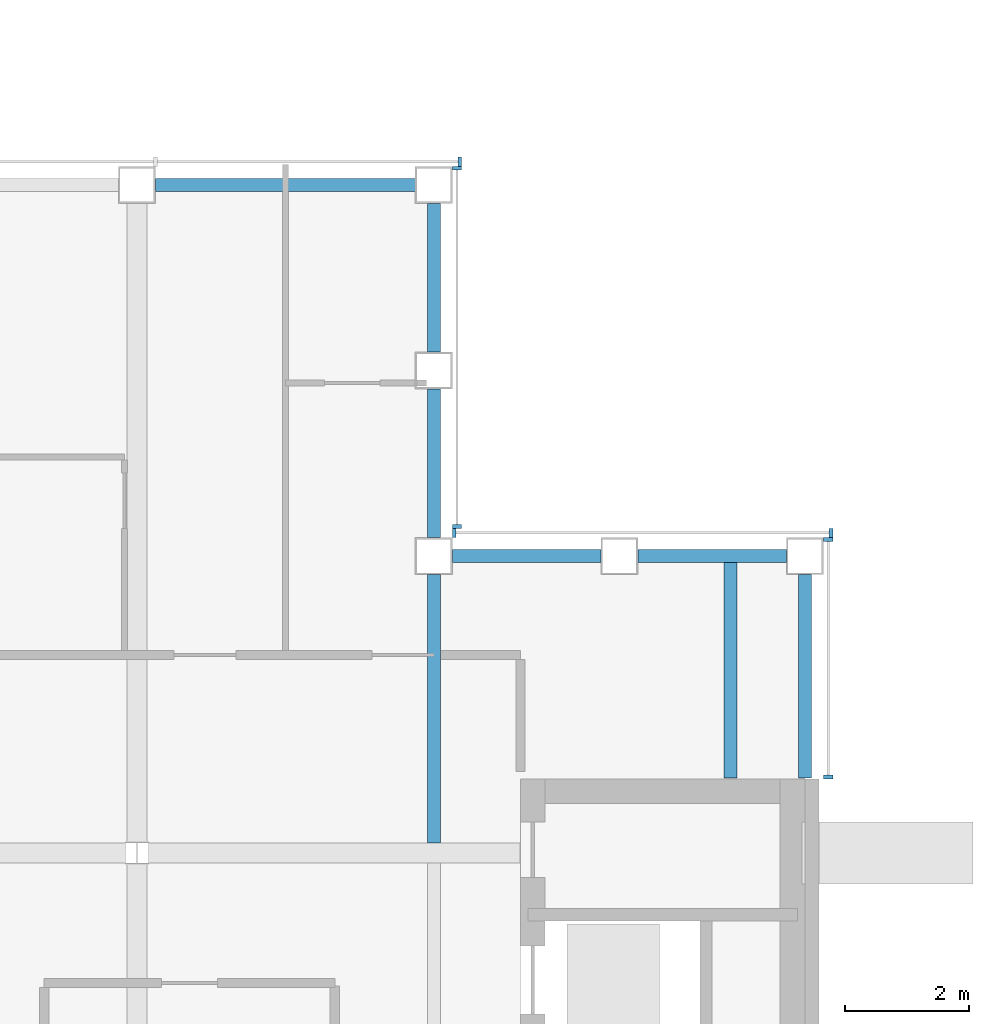
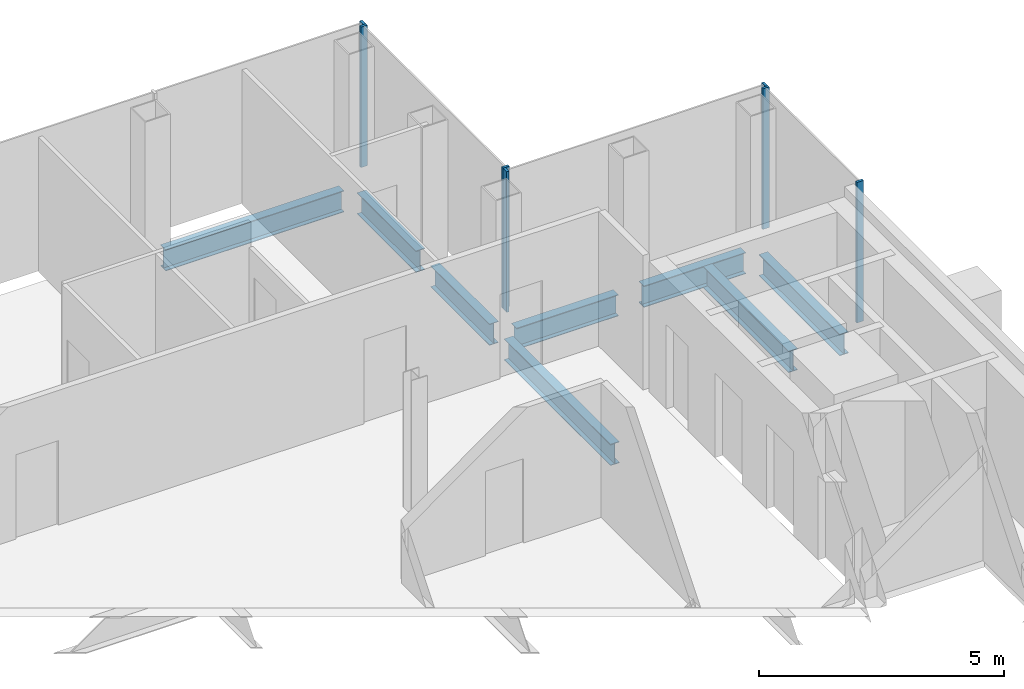
# One storey, part 8 of 15: 8 beams, 7 members, 4 elements without a shape of their own.
"""IFC4 building model written with IfcOpenShell, lengths in metres."""

from ifc_helpers import new_model, si_unit, direction, frame, origin, origin_2d, place, context, subcontext, project, spatial, rectangle, i_section, extrude, material, material_profile, profile_set, type_object, element, aggregate, save


model = new_model("IFC4")

# Units and contexts
model_context = context("Model", 3, precision=1e-05, world=origin(), true_north=direction((0.0, 1.0)))
body_context = subcontext(model_context, "Body", "Model", "MODEL_VIEW")
ifc_project = project(units=[si_unit("LENGTHUNIT", "METRE"), si_unit("AREAUNIT", "SQUARE_METRE"), si_unit("VOLUMEUNIT", "CUBIC_METRE"), si_unit("PLANEANGLEUNIT", "RADIAN"), si_unit("MASSUNIT", "GRAM", prefix="KILO")], contexts=[model_context])

# Site, building, storey
site_placement = place(None, origin())
site = spatial("IfcSite", under=ifc_project, at=site_placement, CompositionType="ELEMENT")
building_placement = place(site_placement, origin())
building = spatial("IfcBuilding", under=site, at=building_placement, Name="Cobrizo Arcos Hotel Tower", CompositionType="ELEMENT")
storey_placement = place(building_placement, frame((0.0, 0.0, 258.5)))
storey = spatial("IfcBuildingStorey", under=building, at=storey_placement, Name="L68", CompositionType="ELEMENT", Elevation=258.5)

# Curtain wall, members
ifc_material_1 = material(Name="Aluminium 6063-T6 anodised bronze", Category="aluminium")
curtain_wall_type = type_object("IfcCurtainWallType", Name="CW-A guest facade", PredefinedType="NOTDEFINED", material=ifc_material_1)
curtain_wall_1_placement = place(storey_placement, origin())
curtain_wall_1 = element("IfcCurtainWall", 1, at=curtain_wall_1_placement, inside=storey, type_object=curtain_wall_type, Name="CW-A L68 E face", PredefinedType="NOTDEFINED")
ifc_material_profile_1 = material_profile(ifc_material_1, rectangle(XDim=0.14990234375, YDim=0.06005859375, at=origin_2d()), Name="CW-A mullion 150x60")
ifc_profile_set_1 = profile_set([ifc_material_profile_1], Name="Aluminium 6063-T6 anodised bronze")
member_type = type_object("IfcMemberType", Name="CW-A mullion 150x60", PredefinedType="MULLION", material=ifc_profile_set_1)
member_1_placement = place(storey_placement, frame((20.77490234375, 10.830078125, 0.0), z_axis=(0.0, 0.0, 1.0), x_axis=(1.0, 0.0, 0.0)))
member_1 = element("IfcMember", 2, at=member_1_placement, type_object=member_type, Name="CW-A mullion 1", PredefinedType="MULLION", context=body_context, shape_type="SweptSolid", body=[
    extrude(rectangle(XDim=0.14990234375, YDim=0.06005859375, at=origin_2d()), origin(), (0.0, 0.0, 1.0), 3.5),
])
member_2_placement = place(storey_placement, frame((20.77490234375, 14.669921875, 0.0), z_axis=(0.0, 0.0, 1.0), x_axis=(1.0, 0.0, 0.0)))
member_2 = element("IfcMember", 3, at=member_2_placement, type_object=member_type, Name="CW-A mullion 2", PredefinedType="MULLION", context=body_context, shape_type="SweptSolid", body=[
    extrude(rectangle(XDim=0.14990234375, YDim=0.06005859375, at=origin_2d()), origin(), (0.0, 0.0, 1.0), 3.5),
])
aggregate(curtain_wall_1, [member_1, member_2])

curtain_wall_2_placement = place(storey_placement, origin())
curtain_wall_2 = element("IfcCurtainWall", 4, at=curtain_wall_2_placement, inside=storey, type_object=curtain_wall_type, Name="CW-A L68 N face", PredefinedType="NOTDEFINED")
member_3_placement = place(storey_placement, frame((20.820068359375, 14.77490234375, 0.0), z_axis=(0.0, 0.0, 1.0), x_axis=(0.0, 1.0, 0.0)))
member_3 = element("IfcMember", 5, at=member_3_placement, type_object=member_type, Name="CW-A mullion 1", PredefinedType="MULLION", context=body_context, shape_type="SweptSolid", body=[
    extrude(rectangle(XDim=0.14990234375, YDim=0.06005859375, at=origin_2d()), origin(), (0.0, 0.0, 1.0), 3.5),
])
member_4_placement = place(storey_placement, frame((14.72998046875, 14.77490234375, 0.0), z_axis=(0.0, 0.0, 1.0), x_axis=(0.0, 1.0, 0.0)))
member_4 = element("IfcMember", 6, at=member_4_placement, type_object=member_type, Name="CW-A mullion 2", PredefinedType="MULLION", context=body_context, shape_type="SweptSolid", body=[
    extrude(rectangle(XDim=0.14990234375, YDim=0.06005859375, at=origin_2d()), origin(), (0.0, 0.0, 1.0), 3.5),
])
aggregate(curtain_wall_2, [member_3, member_4])

curtain_wall_3_placement = place(storey_placement, origin())
curtain_wall_3 = element("IfcCurtainWall", 7, at=curtain_wall_3_placement, inside=storey, type_object=curtain_wall_type, Name="CW-A L68 E face", PredefinedType="NOTDEFINED")
member_5_placement = place(storey_placement, frame((14.77490234375, 14.8798828125, 0.0), z_axis=(0.0, 0.0, 1.0), x_axis=(1.0, 0.0, 0.0)))
member_5 = element("IfcMember", 8, at=member_5_placement, type_object=member_type, Name="CW-A mullion 1", PredefinedType="MULLION", context=body_context, shape_type="SweptSolid", body=[
    extrude(rectangle(XDim=0.14990234375, YDim=0.06005859375, at=origin_2d()), origin(), (0.0, 0.0, 1.0), 3.5),
])
member_6_placement = place(storey_placement, frame((14.77490234375, 20.669921875, 0.0), z_axis=(0.0, 0.0, 1.0), x_axis=(1.0, 0.0, 0.0)))
member_6 = element("IfcMember", 9, at=member_6_placement, type_object=member_type, Name="CW-A mullion 2", PredefinedType="MULLION", context=body_context, shape_type="SweptSolid", body=[
    extrude(rectangle(XDim=0.14990234375, YDim=0.06005859375, at=origin_2d()), origin(), (0.0, 0.0, 1.0), 3.5),
])
aggregate(curtain_wall_3, [member_5, member_6])

# Curtain wall, member
curtain_wall_4_placement = place(storey_placement, origin())
curtain_wall_4 = element("IfcCurtainWall", 10, at=curtain_wall_4_placement, inside=storey, type_object=curtain_wall_type, Name="CW-A L68 N face", PredefinedType="NOTDEFINED")
member_7_placement = place(storey_placement, frame((14.820068359375, 20.77490234375, 0.0), z_axis=(0.0, 0.0, 1.0), x_axis=(0.0, 1.0, 0.0)))
member_7 = element("IfcMember", 11, at=member_7_placement, type_object=member_type, Name="CW-A mullion 1", PredefinedType="MULLION", context=body_context, shape_type="SweptSolid", body=[
    extrude(rectangle(XDim=0.14990234375, YDim=0.06005859375, at=origin_2d()), origin(), (0.0, 0.0, 1.0), 3.5),
])
aggregate(curtain_wall_4, [member_7])

# Beams
ifc_material_2 = material(Name="Steel ASTM A992 Grade 50", Category="steel")
ifc_material_profile_2 = material_profile(ifc_material_2, i_section(OverallWidth=0.209228515625, OverallDepth=0.533447265625, WebThickness=0.01025390625, FlangeThickness=0.015625, at=origin_2d()), Name="W21X62")
ifc_profile_set_2 = profile_set([ifc_material_profile_2], Name="Steel ASTM A992 Grade 50")
beam_type_1 = type_object("IfcBeamType", Name="W21X62 joist", PredefinedType="JOIST", material=ifc_profile_set_2)
beam_1_placement = place(storey_placement, frame((14.39990234375, 9.763916015625, -0.416748046875), z_axis=(0.0, 1.0, 0.0), x_axis=(-1.0, 0.0, 0.0)))
element("IfcBeam", 12, at=beam_1_placement, inside=storey, type_object=beam_type_1, Name="Floor joist J1, L68, no. 018", PredefinedType="JOIST", context=body_context, shape_type="SweptSolid", body=[
    extrude(i_section(OverallWidth=0.209228515625, OverallDepth=0.533447265625, WebThickness=0.01025390625, FlangeThickness=0.015625, at=origin_2d()), origin(), (0.0, 0.0, 1.0), 4.336181640625),
])
beam_2_placement = place(storey_placement, frame((19.199951171875, 10.81005859375, -0.416748046875), z_axis=(0.0, 1.0, 0.0), x_axis=(-1.0, 0.0, 0.0)))
element("IfcBeam", 13, at=beam_2_placement, inside=storey, type_object=beam_type_1, Name="Floor joist J1, L68, no. 020", PredefinedType="JOIST", context=body_context, shape_type="SweptSolid", body=[
    extrude(i_section(OverallWidth=0.209228515625, OverallDepth=0.533447265625, WebThickness=0.01025390625, FlangeThickness=0.015625, at=origin_2d()), origin(), (0.0, 0.0, 1.0), 3.5),
])
ifc_material_profile_3 = material_profile(ifc_material_2, i_section(OverallWidth=0.209228515625, OverallDepth=0.533447265625, WebThickness=0.01025390625, FlangeThickness=0.015625, at=origin_2d()), Name="W21X62")
ifc_profile_set_3 = profile_set([ifc_material_profile_3], Name="Steel ASTM A992 Grade 50")
beam_type_2 = type_object("IfcBeamType", Name="W21X62 spandrel", PredefinedType="SPANDREL", material=ifc_profile_set_3)
beam_3_placement = place(storey_placement, frame((20.39990234375, 10.81005859375, -0.416748046875), z_axis=(0.0, 1.0, 0.0), x_axis=(-1.0, 0.0, 0.0)))
element("IfcBeam", 14, at=beam_3_placement, inside=storey, type_object=beam_type_2, Name="Spandrel beam W21X62, L68, no. 012", PredefinedType="SPANDREL", context=body_context, shape_type="SweptSolid", body=[
    extrude(i_section(OverallWidth=0.209228515625, OverallDepth=0.533447265625, WebThickness=0.01025390625, FlangeThickness=0.015625, at=origin_2d()), origin(), (0.0, 0.0, 1.0), 3.2900390625),
])
for number, where, z_axis, x_axis, name in (
    (15, (20.10009765625, 14.39990234375, -0.416748046875), (-1.0, 0.0, 0.0), (0.0, -1.0, 0.0), "Spandrel beam W21X62, L68, no. 013"),
    (16, (17.10009765625, 14.39990234375, -0.416748046875), (-1.0, 0.0, 0.0), (0.0, -1.0, 0.0), "Spandrel beam W21X62, L68, no. 014"),
    (17, (14.39990234375, 14.699951171875, -0.416748046875), (0.0, 1.0, 0.0), (-1.0, 0.0, 0.0), "Spandrel beam W21X62, L68, no. 015"),
    (18, (14.39990234375, 17.699951171875, -0.416748046875), (0.0, 1.0, 0.0), (-1.0, 0.0, 0.0), "Spandrel beam W21X62, L68, no. 016"),
):
    element("IfcBeam", number, at=place(storey_placement, frame(where, z_axis=z_axis, x_axis=x_axis)), inside=storey, type_object=beam_type_2, Name=name, PredefinedType="SPANDREL", context=body_context, shape_type="SweptSolid", body=[
        extrude(i_section(OverallWidth=0.209228515625, OverallDepth=0.533447265625, WebThickness=0.01025390625, FlangeThickness=0.015625, at=origin_2d()), origin(), (0.0, 0.0, 1.0), 2.400146484375),
    ])
beam_4_placement = place(storey_placement, frame((14.10009765625, 20.39990234375, -0.416748046875), z_axis=(-1.0, 0.0, 0.0), x_axis=(0.0, -1.0, 0.0)))
element("IfcBeam", 19, at=beam_4_placement, inside=storey, type_object=beam_type_2, Name="Spandrel beam W21X62, L68, no. 017", PredefinedType="SPANDREL", context=body_context, shape_type="SweptSolid", body=[
    extrude(i_section(OverallWidth=0.209228515625, OverallDepth=0.533447265625, WebThickness=0.01025390625, FlangeThickness=0.015625, at=origin_2d()), origin(), (0.0, 0.0, 1.0), 4.2001953125),
])

save(model, "model.ifc")
